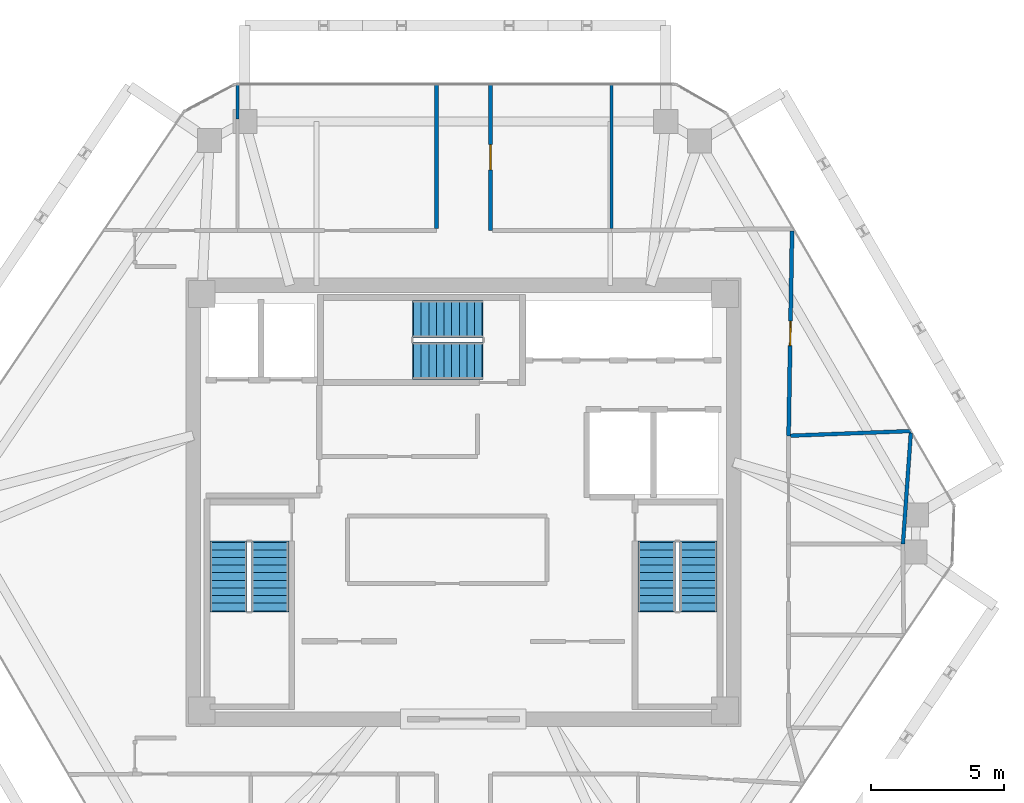
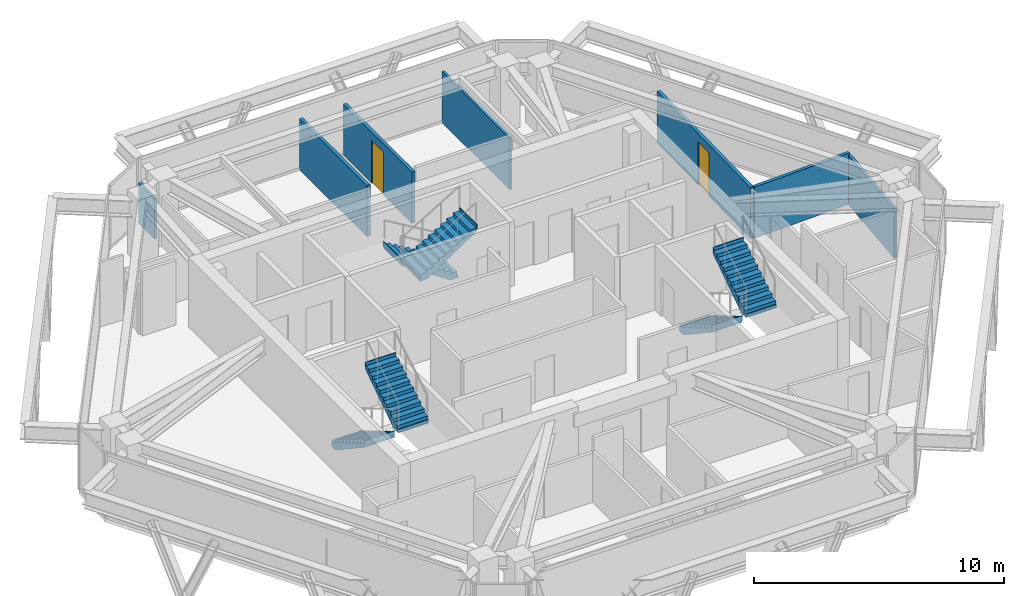
# One storey, part 10 of 11: 7 walls, 6 stair flights, 2 doors, 2 openings, 3 elements without a shape of their own.
"""IFC4 building model written with IfcOpenShell, lengths in metres."""

from ifc_helpers import new_model, si_unit, direction, frame, frame_2d, origin, place, context, subcontext, project, spatial, polyline, rectangle, outline, extrude, source, transform, mapped, material, layer, layer_set, type_object, type_shapes, element, fill, aggregate, save


model = new_model("IFC4")

# Units and contexts
model_context = context("Model", 3, precision=1e-05, world=origin(), true_north=direction((0.0, 1.0)))
body_context = subcontext(model_context, "Body", "Model", "MODEL_VIEW")
ifc_project = project(units=[si_unit("LENGTHUNIT", "METRE"), si_unit("AREAUNIT", "SQUARE_METRE"), si_unit("VOLUMEUNIT", "CUBIC_METRE"), si_unit("PLANEANGLEUNIT", "RADIAN"), si_unit("MASSUNIT", "GRAM", prefix="KILO")], contexts=[model_context])

# Site, building, storey
site_placement = place(None, origin())
site = spatial("IfcSite", under=ifc_project, at=site_placement, CompositionType="ELEMENT")
building_placement = place(site_placement, origin())
building = spatial("IfcBuilding", under=site, at=building_placement, Name="Durnholm Broadcast Tower", CompositionType="ELEMENT")
storey_placement = place(building_placement, frame((0.0, 0.0, 251.300048828125)))
storey = spatial("IfcBuildingStorey", under=building, at=storey_placement, Name="L70", CompositionType="ELEMENT", Elevation=251.300048828125)

# Walls
ifc_material_1 = material(Name="Operable Acoustic Panel Partition", Category="aluminium")
ifc_layer_1 = layer(ifc_material_1, 0.110107421875)
ifc_layer_set_1 = layer_set([ifc_layer_1], Name="Operable Acoustic Panel Partition")
wall_type_1 = type_object("IfcWallType", Name="WALL-MOV-110", PredefinedType="MOVABLE", material=ifc_layer_set_1)
wall_1_placement = place(storey_placement, frame((-8.4599609375, 15.662109375, 0.0), z_axis=(0.0, 0.0, 1.0), x_axis=(0.0, -1.0, 0.0)))
element("IfcWall", 1, at=wall_1_placement, inside=storey, type_object=wall_type_1, Name="L70 room dividing partition 8.9", PredefinedType="MOVABLE", context=body_context, shape_type="SweptSolid", body=[
    extrude(rectangle(XDim=1.301025390625, YDim=0.110107421875, at=frame_2d((0.650390625, 0.0))), origin(), (0.0, 0.0, 1.0), 1.97705078125),
])
wall_2_placement = place(storey_placement, frame((5.5400390625, 15.662109375, 0.0), z_axis=(0.0, 0.0, 1.0), x_axis=(0.0, -1.0, 0.0)))
element("IfcWall", 2, at=wall_2_placement, inside=storey, type_object=wall_type_1, Name="L70 room dividing partition 10.11", PredefinedType="MOVABLE", context=body_context, shape_type="SweptSolid", body=[
    extrude(rectangle(XDim=5.40234375, YDim=0.110107421875, at=frame_2d((2.701171875, 0.0))), origin(), (0.0, 0.0, 1.0), 2.498779296875),
])
ifc_material_2 = material(Name="Acoustic Gypsum Stud Partition", Category="concrete")
ifc_layer_2 = layer(ifc_material_2, 0.14990234375)
ifc_layer_set_2 = layer_set([ifc_layer_2], Name="Acoustic Gypsum Stud Partition")
wall_type_2 = type_object("IfcWallType", Name="WALL-PART-150", PredefinedType="PARTITIONING", material=ifc_layer_set_2)
wall_3_placement = place(storey_placement, frame((-1.010009765625, 15.662109375, 0.0), z_axis=(0.0, 0.0, 1.0), x_axis=(0.0, -1.0, 0.0)))
element("IfcWall", 3, at=wall_3_placement, inside=storey, type_object=wall_type_2, Name="L70 Fellows Meeting Room 2 corridor partition", PredefinedType="PARTITIONING", context=body_context, shape_type="SweptSolid", body=[
    extrude(rectangle(XDim=5.403076171875, YDim=0.14990234375, at=frame_2d((2.70166015625, 0.0))), origin(), (0.0, 0.0, 1.0), 2.498779296875),
])

# Wall, opening, door
wall_4_placement = place(storey_placement, frame((1.010009765625, 10.179931640625, 0.0), z_axis=(0.0, 0.0, 1.0), x_axis=(0.0, 1.0, 0.0)))
wall_4 = element("IfcWall", 4, at=wall_4_placement, inside=storey, type_object=wall_type_2, Name="L70 Fellows Meeting Room 3 corridor partition", PredefinedType="PARTITIONING", context=body_context, shape_type="SweptSolid", body=[
    extrude(rectangle(XDim=5.482177734375, YDim=0.14990234375, at=frame_2d((2.7412109375, 0.0))), origin(), (0.0, 0.0, 1.0), 2.498779296875),
])
opening_1_placement = place(wall_4_placement, frame((2.26611328125, 0.0, 0.0)))
opening_1 = element("IfcOpeningElement", 5, at=opening_1_placement, cuts=wall_4, Name="Opening DR-95L", PredefinedType="OPENING", context=body_context, shape_type="SweptSolid", body=[
    extrude(rectangle(XDim=0.949951171875, YDim=2.10009765625, at=frame_2d((0.47509765625, 1.050048828125))), frame((0.0, 0.0849609375, 0.0), z_axis=(0.0, -1.0, 0.0), x_axis=(1.0, 0.0, 0.0)), (0.0, 0.0, 1.0), 0.169921875),
])
ifc_material_3 = material(Name="Acoustic Oak Veneer Timber Door", Category="wood")
ifc_layer_3 = layer(ifc_material_3, 0.050048828125)
ifc_layer_set_3 = layer_set([ifc_layer_3], Name="Acoustic Oak Veneer Timber Door")
door_type_1 = type_object("IfcDoorType", Name="DOOR-RM-950L", OperationType="NOTDEFINED", PredefinedType="DOOR", material=ifc_layer_set_3)
shared_shape_1 = source(origin(), body_context, "Body", "SweptSolid", [
    extrude(rectangle(XDim=0.949951171875, YDim=2.10009765625, at=frame_2d((0.47509765625, 1.050048828125))), frame((0.0, 0.02490234375, 0.0), z_axis=(0.0, -1.0, 0.0), x_axis=(1.0, 0.0, 0.0)), (0.0, 0.0, 1.0), 0.050048828125),
])
type_shapes(door_type_1, [shared_shape_1])
door_1_placement = place(opening_1_placement, origin())
door_1 = element("IfcDoor", 6, at=door_1_placement, inside=storey, type_object=door_type_1, Name="L70 Fellows Meeting Room 3 entrance door", OperationType="SINGLE_SWING_LEFT", OverallHeight=2.10009765625, OverallWidth=0.949951171875, PredefinedType="DOOR", context=body_context, shape_type="MappedRepresentation", body=[
    mapped(shared_shape_1, transform((0.0, 0.0, 0.0), x_axis=(1.0, 0.0, 0.0), y_axis=(0.0, 1.0, 0.0), z_axis=(0.0, 0.0, 1.0), scale=1.0)),
])
fill(opening_1, door_1)

wall_5_placement = place(storey_placement, frame((12.181396484375, 2.489990234375, 0.0), z_axis=(0.0, 0.0, 1.0), x_axis=(0.016828669653, 0.999858387912, 0.0)))
wall_5 = element("IfcWall", 7, at=wall_5_placement, inside=storey, type_object=wall_type_2, Name="L70 Open Plan Broadcast Workspace 1 corridor partition", PredefinedType="PARTITIONING", context=body_context, shape_type="SweptSolid", body=[
    extrude(rectangle(XDim=7.67431640625, YDim=0.14990234375, at=frame_2d((3.837158203125, 0.0))), origin(), (0.0, 0.0, 1.0), 2.498779296875),
])
opening_2_placement = place(wall_5_placement, frame((3.377197265625, 0.0, 0.0)))
opening_2 = element("IfcOpeningElement", 8, at=opening_2_placement, cuts=wall_5, Name="Opening DR-92R", PredefinedType="OPENING", context=body_context, shape_type="SweptSolid", body=[
    extrude(rectangle(XDim=0.919921875, YDim=2.10009765625, at=frame_2d((0.4599609375, 1.050048828125))), frame((0.0, 0.0849609375, 0.0), z_axis=(0.0, -1.0, 0.0), x_axis=(1.0, 0.0, 0.0)), (0.0, 0.0, 1.0), 0.169921875),
])
ifc_material_4 = material(Name="Oak Veneer Office Door", Category="wood")
ifc_layer_4 = layer(ifc_material_4, 0.050048828125)
ifc_layer_set_4 = layer_set([ifc_layer_4], Name="Oak Veneer Office Door")
door_type_2 = type_object("IfcDoorType", Name="DOOR-RM-920R", OperationType="NOTDEFINED", PredefinedType="DOOR", material=ifc_layer_set_4)
shared_shape_2 = source(origin(), body_context, "Body", "SweptSolid", [
    extrude(rectangle(XDim=0.919921875, YDim=2.10009765625, at=frame_2d((0.4599609375, 1.050048828125))), frame((0.0, 0.02490234375, 0.0), z_axis=(0.0, -1.0, 0.0), x_axis=(1.0, 0.0, 0.0)), (0.0, 0.0, 1.0), 0.050048828125),
])
type_shapes(door_type_2, [shared_shape_2])
door_2_placement = place(opening_2_placement, origin())
door_2 = element("IfcDoor", 9, at=door_2_placement, inside=storey, type_object=door_type_2, Name="L70 Open Plan Broadcast Workspace 1 entrance door", OperationType="SINGLE_SWING_RIGHT", OverallHeight=2.10009765625, OverallWidth=0.919921875, PredefinedType="DOOR", context=body_context, shape_type="MappedRepresentation", body=[
    mapped(shared_shape_2, transform((0.0, 0.0, 0.0), x_axis=(1.0, 0.0, 0.0), y_axis=(0.0, 1.0, 0.0), z_axis=(0.0, 0.0, 1.0), scale=1.0)),
])
fill(opening_2, door_2)

# Walls
ifc_material_5 = material(Name="Moisture-Resistant Tile Partition", Category="concrete")
ifc_layer_5 = layer(ifc_material_5, 0.139892578125)
ifc_layer_set_5 = layer_set([ifc_layer_5], Name="Moisture-Resistant Tile Partition")
wall_type_3 = type_object("IfcWallType", Name="WALL-WC-140", PredefinedType="PARTITIONING", material=ifc_layer_set_5)
wall_6_placement = place(storey_placement, frame((12.260498046875, 2.4931640625, 0.0), z_axis=(0.0, 0.0, 1.0), x_axis=(0.999256206289, 0.038562082324, 0.0)))
element("IfcWall", 10, at=wall_6_placement, inside=storey, type_object=wall_type_3, Name="L70 room dividing partition 7.19", PredefinedType="PARTITIONING", context=body_context, shape_type="SweptSolid", body=[
    extrude(rectangle(XDim=4.5078125, YDim=0.139892578125, at=frame_2d((2.25390625, 0.0))), origin(), (0.0, 0.0, 1.0), 2.498779296875),
])
wall_7_placement = place(storey_placement, frame((16.759521484375, 2.5927734375, 0.0), z_axis=(0.0, 0.0, 1.0), x_axis=(-0.07055102187, -0.997508172053, 0.0)))
element("IfcWall", 11, at=wall_7_placement, inside=storey, type_object=wall_type_3, Name="L70 room dividing partition 7.19", PredefinedType="PARTITIONING", context=body_context, shape_type="SweptSolid", body=[
    extrude(rectangle(XDim=4.162841796875, YDim=0.139892578125, at=frame_2d((2.08154296875, 0.0))), origin(), (0.0, 0.0, 1.0), 2.4013671875),
])

# Stair, stair flights
ifc_material_6 = material(Name="Concrete C50/60", Category="concrete")
stair_type = type_object("IfcStairType", Name="STAIR-DL-20R1700", PredefinedType="HALF_TURN_STAIR", material=ifc_material_6)
stair_1_placement = place(storey_placement, origin())
stair_1 = element("IfcStair", 12, at=stair_1_placement, inside=storey, type_object=stair_type, Name="L70 ST-1", PredefinedType="HALF_TURN_STAIR")
stair_flight_type = type_object("IfcStairFlightType", Name="FLIGHT-DL-20R1700", PredefinedType="STRAIGHT", material=ifc_material_6)
stair_flight_1_placement = place(storey_placement, frame((-8.800048828125, -1.5, 0.0), z_axis=(0.0, 0.0, 1.0), x_axis=(0.0, -1.0, 0.0)))
stair_flight_1 = element("IfcStairFlight", 13, at=stair_flight_1_placement, type_object=stair_flight_type, Name="ST-1 flight 1", NumberOfRisers=10, NumberOfTreads=9, PredefinedType="STRAIGHT", RiserHeight=0.17, TreadLength=0.285, context=body_context, shape_type="SweptSolid", body=[
    extrude(outline(polyline([(-0.0400390625, -0.14990234375), (-0.0400390625, 0.0), (0.0, 0.0), (0.0, 0.169921875), (0.284912109375, 0.169921875), (0.284912109375, 0.340087890625), (0.570068359375, 0.340087890625), (0.570068359375, 0.510009765625), (0.85498046875, 0.510009765625), (0.85498046875, 0.679931640625), (1.139892578125, 0.679931640625), (1.139892578125, 0.85009765625), (1.425048828125, 0.85009765625), (1.425048828125, 1.02001953125), (1.7099609375, 1.02001953125), (1.7099609375, 1.18994140625), (1.9951171875, 1.18994140625), (1.9951171875, 1.360107421875), (2.280029296875, 1.360107421875), (2.280029296875, 1.530029296875), (2.56494140625, 1.530029296875), (2.56494140625, 1.699951171875), (2.60498046875, 1.699951171875), (2.60498046875, 1.550048828125), (2.56494140625, 1.35546875), (0.292724609375, -0.14990234375), (-0.0400390625, -0.14990234375)])), frame((0.0, 0.699951171875, 0.0), z_axis=(0.0, -1.0, 0.0), x_axis=(1.0, 0.0, 0.0)), (0.0, 0.0, 1.0), 1.39990234375),
])
stair_flight_2_placement = place(storey_placement, frame((-7.239990234375, -4.06494140625, 1.699951171875), z_axis=(0.0, 0.0, 1.0), x_axis=(0.0, 1.0, 0.0)))
stair_flight_2 = element("IfcStairFlight", 14, at=stair_flight_2_placement, type_object=stair_flight_type, Name="ST-1 flight 2", NumberOfRisers=10, NumberOfTreads=9, PredefinedType="STRAIGHT", RiserHeight=0.17, TreadLength=0.285, context=body_context, shape_type="SweptSolid", body=[
    extrude(outline(polyline([(-0.0400390625, -0.14990234375), (-0.0400390625, 0.0), (0.0, 0.0), (0.0, 0.169921875), (0.284912109375, 0.169921875), (0.284912109375, 0.340087890625), (0.570068359375, 0.340087890625), (0.570068359375, 0.510009765625), (0.85498046875, 0.510009765625), (0.85498046875, 0.679931640625), (1.139892578125, 0.679931640625), (1.139892578125, 0.85009765625), (1.425048828125, 0.85009765625), (1.425048828125, 1.02001953125), (1.7099609375, 1.02001953125), (1.7099609375, 1.18994140625), (1.9951171875, 1.18994140625), (1.9951171875, 1.360107421875), (2.280029296875, 1.360107421875), (2.280029296875, 1.530029296875), (2.56494140625, 1.530029296875), (2.56494140625, 1.699951171875), (2.60498046875, 1.699951171875), (2.60498046875, 1.550048828125), (2.56494140625, 1.35546875), (0.292724609375, -0.14990234375), (-0.0400390625, -0.14990234375)])), frame((0.0, 0.699951171875, 0.0), z_axis=(0.0, -1.0, 0.0), x_axis=(1.0, 0.0, 0.0)), (0.0, 0.0, 1.0), 1.39990234375),
])
aggregate(stair_1, [stair_flight_1, stair_flight_2])

stair_2_placement = place(storey_placement, origin())
stair_2 = element("IfcStair", 15, at=stair_2_placement, inside=storey, type_object=stair_type, Name="L70 ST-2", PredefinedType="HALF_TURN_STAIR")
stair_flight_3_placement = place(storey_placement, frame((7.239990234375, -1.5, 0.0), z_axis=(0.0, 0.0, 1.0), x_axis=(0.0, -1.0, 0.0)))
stair_flight_3 = element("IfcStairFlight", 16, at=stair_flight_3_placement, type_object=stair_flight_type, Name="ST-2 flight 1", NumberOfRisers=10, NumberOfTreads=9, PredefinedType="STRAIGHT", RiserHeight=0.17, TreadLength=0.285, context=body_context, shape_type="SweptSolid", body=[
    extrude(outline(polyline([(-0.0400390625, -0.14990234375), (-0.0400390625, 0.0), (0.0, 0.0), (0.0, 0.169921875), (0.284912109375, 0.169921875), (0.284912109375, 0.340087890625), (0.570068359375, 0.340087890625), (0.570068359375, 0.510009765625), (0.85498046875, 0.510009765625), (0.85498046875, 0.679931640625), (1.139892578125, 0.679931640625), (1.139892578125, 0.85009765625), (1.425048828125, 0.85009765625), (1.425048828125, 1.02001953125), (1.7099609375, 1.02001953125), (1.7099609375, 1.18994140625), (1.9951171875, 1.18994140625), (1.9951171875, 1.360107421875), (2.280029296875, 1.360107421875), (2.280029296875, 1.530029296875), (2.56494140625, 1.530029296875), (2.56494140625, 1.699951171875), (2.60498046875, 1.699951171875), (2.60498046875, 1.550048828125), (2.56494140625, 1.35546875), (0.292724609375, -0.14990234375), (-0.0400390625, -0.14990234375)])), frame((0.0, 0.699951171875, 0.0), z_axis=(0.0, -1.0, 0.0), x_axis=(1.0, 0.0, 0.0)), (0.0, 0.0, 1.0), 1.39990234375),
])
stair_flight_4_placement = place(storey_placement, frame((8.800048828125, -4.06494140625, 1.699951171875), z_axis=(0.0, 0.0, 1.0), x_axis=(0.0, 1.0, 0.0)))
stair_flight_4 = element("IfcStairFlight", 17, at=stair_flight_4_placement, type_object=stair_flight_type, Name="ST-2 flight 2", NumberOfRisers=10, NumberOfTreads=9, PredefinedType="STRAIGHT", RiserHeight=0.17, TreadLength=0.285, context=body_context, shape_type="SweptSolid", body=[
    extrude(outline(polyline([(-0.0400390625, -0.14990234375), (-0.0400390625, 0.0), (0.0, 0.0), (0.0, 0.169921875), (0.284912109375, 0.169921875), (0.284912109375, 0.340087890625), (0.570068359375, 0.340087890625), (0.570068359375, 0.510009765625), (0.85498046875, 0.510009765625), (0.85498046875, 0.679931640625), (1.139892578125, 0.679931640625), (1.139892578125, 0.85009765625), (1.425048828125, 0.85009765625), (1.425048828125, 1.02001953125), (1.7099609375, 1.02001953125), (1.7099609375, 1.18994140625), (1.9951171875, 1.18994140625), (1.9951171875, 1.360107421875), (2.280029296875, 1.360107421875), (2.280029296875, 1.530029296875), (2.56494140625, 1.530029296875), (2.56494140625, 1.699951171875), (2.60498046875, 1.699951171875), (2.60498046875, 1.550048828125), (2.56494140625, 1.35546875), (0.292724609375, -0.14990234375), (-0.0400390625, -0.14990234375)])), frame((0.0, 0.699951171875, 0.0), z_axis=(0.0, -1.0, 0.0), x_axis=(1.0, 0.0, 0.0)), (0.0, 0.0, 1.0), 1.39990234375),
])
aggregate(stair_2, [stair_flight_3, stair_flight_4])

stair_3_placement = place(storey_placement, origin())
stair_3 = element("IfcStair", 18, at=stair_3_placement, inside=storey, type_object=stair_type, Name="L70 ST-3", PredefinedType="HALF_TURN_STAIR")
stair_flight_5_placement = place(storey_placement, frame((0.699951171875, 6.860107421875, 0.0), z_axis=(0.0, 0.0, 1.0), x_axis=(-1.0, 0.0, 0.0)))
stair_flight_5 = element("IfcStairFlight", 19, at=stair_flight_5_placement, type_object=stair_flight_type, Name="ST-3 flight 1", NumberOfRisers=10, NumberOfTreads=9, PredefinedType="STRAIGHT", RiserHeight=0.17, TreadLength=0.285, context=body_context, shape_type="SweptSolid", body=[
    extrude(outline(polyline([(-0.0400390625, -0.14990234375), (-0.0400390625, 0.0), (0.0, 0.0), (0.0, 0.169921875), (0.284912109375, 0.169921875), (0.284912109375, 0.340087890625), (0.570068359375, 0.340087890625), (0.570068359375, 0.510009765625), (0.85498046875, 0.510009765625), (0.85498046875, 0.679931640625), (1.139892578125, 0.679931640625), (1.139892578125, 0.85009765625), (1.425048828125, 0.85009765625), (1.425048828125, 1.02001953125), (1.7099609375, 1.02001953125), (1.7099609375, 1.18994140625), (1.9951171875, 1.18994140625), (1.9951171875, 1.360107421875), (2.280029296875, 1.360107421875), (2.280029296875, 1.530029296875), (2.56494140625, 1.530029296875), (2.56494140625, 1.699951171875), (2.60498046875, 1.699951171875), (2.60498046875, 1.550048828125), (2.56494140625, 1.35546875), (0.292724609375, -0.14990234375), (-0.0400390625, -0.14990234375)])), frame((0.0, 0.699951171875, 0.0), z_axis=(0.0, -1.0, 0.0), x_axis=(1.0, 0.0, 0.0)), (0.0, 0.0, 1.0), 1.39990234375),
])
stair_flight_6_placement = place(storey_placement, frame((-1.864990234375, 5.300048828125, 1.699951171875), z_axis=(0.0, 0.0, 1.0), x_axis=(1.0, 0.0, 0.0)))
stair_flight_6 = element("IfcStairFlight", 20, at=stair_flight_6_placement, type_object=stair_flight_type, Name="ST-3 flight 2", NumberOfRisers=10, NumberOfTreads=9, PredefinedType="STRAIGHT", RiserHeight=0.17, TreadLength=0.285, context=body_context, shape_type="SweptSolid", body=[
    extrude(outline(polyline([(-0.0400390625, -0.14990234375), (-0.0400390625, 0.0), (0.0, 0.0), (0.0, 0.169921875), (0.284912109375, 0.169921875), (0.284912109375, 0.340087890625), (0.570068359375, 0.340087890625), (0.570068359375, 0.510009765625), (0.85498046875, 0.510009765625), (0.85498046875, 0.679931640625), (1.139892578125, 0.679931640625), (1.139892578125, 0.85009765625), (1.425048828125, 0.85009765625), (1.425048828125, 1.02001953125), (1.7099609375, 1.02001953125), (1.7099609375, 1.18994140625), (1.9951171875, 1.18994140625), (1.9951171875, 1.360107421875), (2.280029296875, 1.360107421875), (2.280029296875, 1.530029296875), (2.56494140625, 1.530029296875), (2.56494140625, 1.699951171875), (2.60498046875, 1.699951171875), (2.60498046875, 1.550048828125), (2.56494140625, 1.35546875), (0.292724609375, -0.14990234375), (-0.0400390625, -0.14990234375)])), frame((0.0, 0.699951171875, 0.0), z_axis=(0.0, -1.0, 0.0), x_axis=(1.0, 0.0, 0.0)), (0.0, 0.0, 1.0), 1.39990234375),
])
aggregate(stair_3, [stair_flight_5, stair_flight_6])

save(model, "model.ifc")
